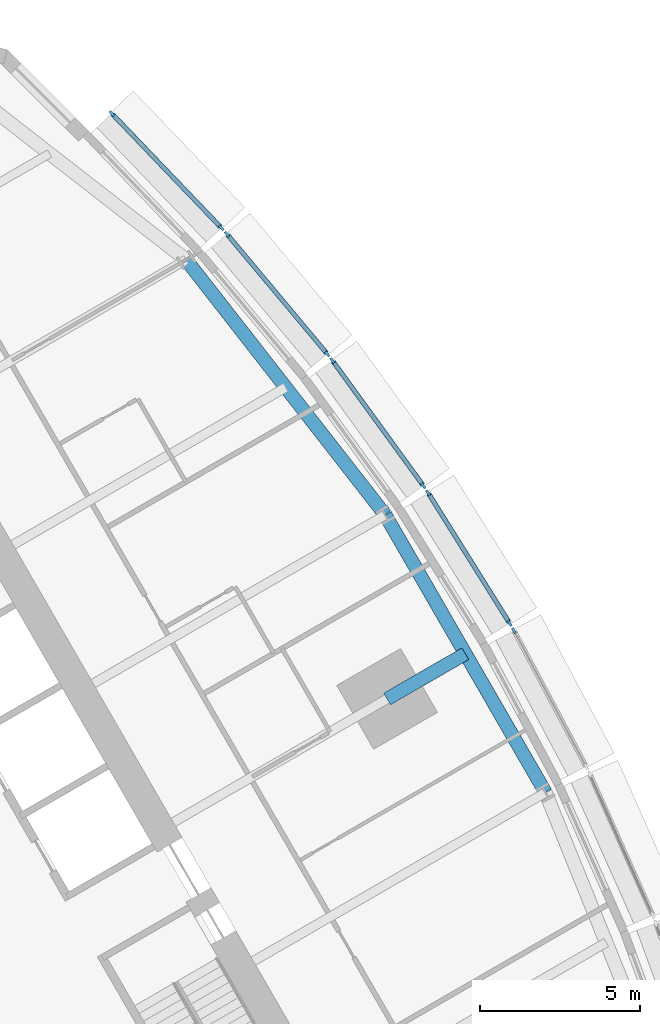
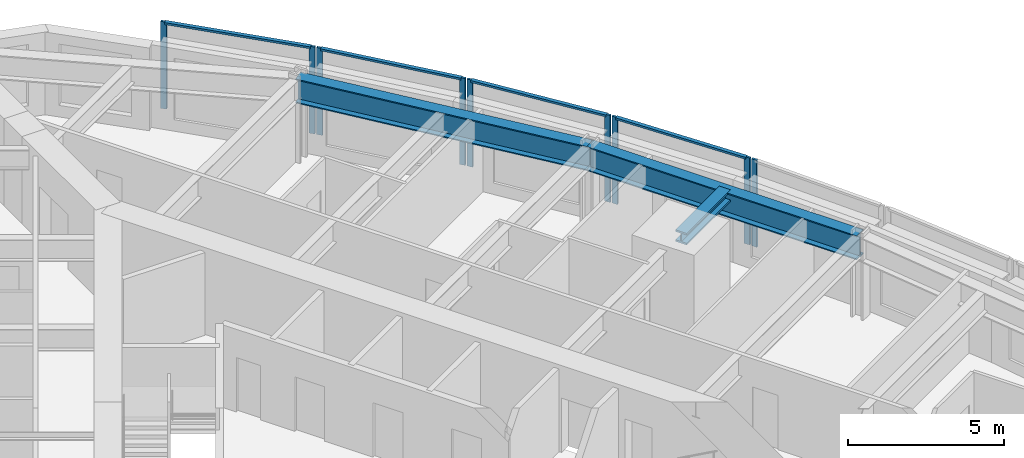
# One storey, part 5 of 14: 13 members, 3 beams, 5 elements without a shape of their own.
"""IFC4 building model written with IfcOpenShell, lengths in metres."""

from ifc_helpers import new_model, si_unit, direction, frame, origin, origin_2d, place, context, subcontext, project, spatial, rectangle, i_section, extrude, material, material_profile, profile_set, type_object, element, aggregate, save


model = new_model("IFC4")

# Units and contexts
model_context = context("Model", 3, precision=1e-05, world=origin(), true_north=direction((0.0, 1.0)))
body_context = subcontext(model_context, "Body", "Model", "MODEL_VIEW")
ifc_project = project(units=[si_unit("LENGTHUNIT", "METRE"), si_unit("AREAUNIT", "SQUARE_METRE"), si_unit("VOLUMEUNIT", "CUBIC_METRE"), si_unit("PLANEANGLEUNIT", "RADIAN"), si_unit("MASSUNIT", "GRAM", prefix="KILO")], contexts=[model_context])

# Site, building, storey
site_placement = place(None, origin())
site = spatial("IfcSite", under=ifc_project, at=site_placement, CompositionType="ELEMENT")
building_placement = place(site_placement, origin())
building = spatial("IfcBuilding", under=site, at=building_placement, Name="Trikona Tower", CompositionType="ELEMENT")
storey_placement = place(building_placement, frame((0.0, 0.0, 172.5)))
storey = spatial("IfcBuildingStorey", under=building, at=storey_placement, Name="L46", CompositionType="ELEMENT", Elevation=172.5)

# Curtain wall, member
ifc_material_1 = material(Name="Aluminium curtain wall system", Category="aluminium")
curtain_wall_type = type_object("IfcCurtainWallType", Name="Curtain wall DS2", PredefinedType="NOTDEFINED", material=ifc_material_1)
curtain_wall_1_placement = place(storey_placement, origin())
curtain_wall_1 = element("IfcCurtainWall", 1, at=curtain_wall_1_placement, inside=storey, type_object=curtain_wall_type, Name="Curtain wall DS2 L46", PredefinedType="NOTDEFINED")
ifc_material_2 = material(Name="Aluminium mullion, pale anodised", Category="aluminium")
ifc_material_profile_1 = material_profile(ifc_material_2, rectangle(XDim=0.080078125, YDim=0.199951171875, at=origin_2d()), Name="MUL-DS2")
ifc_profile_set_1 = profile_set([ifc_material_profile_1], Name="Aluminium mullion, pale anodised")
member_type_1 = type_object("IfcMemberType", Name="Mullion DS2 80x200", PredefinedType="MULLION", material=ifc_profile_set_1)
member_1_placement = place(storey_placement, frame((19.2666015625, 10.9716796875, 0.0), z_axis=(0.0, 0.0, 1.0), x_axis=(-0.882996107343, -0.469380308937, 0.0)))
member_1 = element("IfcMember", 2, at=member_1_placement, type_object=member_type_1, Name="CW-DS2 mullion 2", PredefinedType="MULLION", context=body_context, shape_type="SweptSolid", body=[
    extrude(rectangle(XDim=0.080078125, YDim=0.199951171875, at=origin_2d()), origin(), (0.0, 0.0, 1.0), 3.39990234375),
])
aggregate(curtain_wall_1, [member_1])

# Curtain wall, members
curtain_wall_2_placement = place(storey_placement, origin())
curtain_wall_2 = element("IfcCurtainWall", 3, at=curtain_wall_2_placement, inside=storey, type_object=curtain_wall_type, Name="Curtain wall DS2 L46", PredefinedType="NOTDEFINED")
member_2_placement = place(storey_placement, frame((19.135009765625, 11.199462890625, 0.0), z_axis=(0.0, 0.0, 1.0), x_axis=(-0.847998304006, -0.529998940002, 0.0)))
member_2 = element("IfcMember", 4, at=member_2_placement, type_object=member_type_1, Name="CW-DS2 mullion 1", PredefinedType="MULLION", context=body_context, shape_type="SweptSolid", body=[
    extrude(rectangle(XDim=0.080078125, YDim=0.199951171875, at=origin_2d()), origin(), (0.0, 0.0, 1.0), 3.39990234375),
])
member_3_placement = place(storey_placement, frame((16.589599609375, 15.2724609375, 0.0), z_axis=(0.0, 0.0, 1.0), x_axis=(-0.847998304006, -0.529998940002, 0.0)))
member_3 = element("IfcMember", 5, at=member_3_placement, type_object=member_type_1, Name="CW-DS2 mullion 2", PredefinedType="MULLION", context=body_context, shape_type="SweptSolid", body=[
    extrude(rectangle(XDim=0.080078125, YDim=0.199951171875, at=origin_2d()), origin(), (0.0, 0.0, 1.0), 3.39990234375),
])

curtain_wall_3_placement = place(storey_placement, origin())
curtain_wall_3 = element("IfcCurtainWall", 6, at=curtain_wall_3_placement, inside=storey, type_object=curtain_wall_type, Name="Curtain wall DS2 L46", PredefinedType="NOTDEFINED")
member_4_placement = place(storey_placement, frame((16.442626953125, 15.489990234375, 0.0), z_axis=(0.0, 0.0, 1.0), x_axis=(-0.80908576332, -0.587690588313, 0.0)))
member_4 = element("IfcMember", 7, at=member_4_placement, type_object=member_type_1, Name="CW-DS2 mullion 1", PredefinedType="MULLION", context=body_context, shape_type="SweptSolid", body=[
    extrude(rectangle(XDim=0.080078125, YDim=0.199951171875, at=origin_2d()), origin(), (0.0, 0.0, 1.0), 3.39990234375),
])
member_5_placement = place(storey_placement, frame((13.605712890625, 19.39599609375, 0.0), z_axis=(0.0, 0.0, 1.0), x_axis=(-0.80908576332, -0.587690588313, 0.0)))
member_5 = element("IfcMember", 8, at=member_5_placement, type_object=member_type_1, Name="CW-DS2 mullion 2", PredefinedType="MULLION", context=body_context, shape_type="SweptSolid", body=[
    extrude(rectangle(XDim=0.080078125, YDim=0.199951171875, at=origin_2d()), origin(), (0.0, 0.0, 1.0), 3.39990234375),
])

curtain_wall_4_placement = place(storey_placement, origin())
curtain_wall_4 = element("IfcCurtainWall", 9, at=curtain_wall_4_placement, inside=storey, type_object=curtain_wall_type, Name="Curtain wall DS2 L46", PredefinedType="NOTDEFINED")
member_6_placement = place(storey_placement, frame((13.44482421875, 19.602294921875, 0.0), z_axis=(0.0, 0.0, 1.0), x_axis=(-0.766866678271, -0.641806433248, 0.0)))
member_6 = element("IfcMember", 10, at=member_6_placement, type_object=member_type_1, Name="CW-DS2 mullion 1", PredefinedType="MULLION", context=body_context, shape_type="SweptSolid", body=[
    extrude(rectangle(XDim=0.080078125, YDim=0.199951171875, at=origin_2d()), origin(), (0.0, 0.0, 1.0), 3.39990234375),
])
member_7_placement = place(storey_placement, frame((10.315185546875, 23.34130859375, 0.0), z_axis=(0.0, 0.0, 1.0), x_axis=(-0.766866678271, -0.641806433248, 0.0)))
member_7 = element("IfcMember", 11, at=member_7_placement, type_object=member_type_1, Name="CW-DS2 mullion 2", PredefinedType="MULLION", context=body_context, shape_type="SweptSolid", body=[
    extrude(rectangle(XDim=0.080078125, YDim=0.199951171875, at=origin_2d()), origin(), (0.0, 0.0, 1.0), 3.39990234375),
])

curtain_wall_5_placement = place(storey_placement, origin())
curtain_wall_5 = element("IfcCurtainWall", 12, at=curtain_wall_5_placement, inside=storey, type_object=curtain_wall_type, Name="Curtain wall DS2 L46", PredefinedType="NOTDEFINED")
member_8_placement = place(storey_placement, frame((10.1416015625, 23.535400390625, 0.0), z_axis=(0.0, 0.0, 1.0), x_axis=(-0.722158330767, -0.691727797117, 0.0)))
member_8 = element("IfcMember", 13, at=member_8_placement, type_object=member_type_1, Name="CW-DS2 mullion 1", PredefinedType="MULLION", context=body_context, shape_type="SweptSolid", body=[
    extrude(rectangle(XDim=0.080078125, YDim=0.199951171875, at=origin_2d()), origin(), (0.0, 0.0, 1.0), 3.39990234375),
])
member_9_placement = place(storey_placement, frame((6.718994140625, 27.1083984375, 0.0), z_axis=(0.0, 0.0, 1.0), x_axis=(-0.722158330767, -0.691727797117, 0.0)))
member_9 = element("IfcMember", 14, at=member_9_placement, type_object=member_type_1, Name="CW-DS2 mullion 2", PredefinedType="MULLION", context=body_context, shape_type="SweptSolid", body=[
    extrude(rectangle(XDim=0.080078125, YDim=0.199951171875, at=origin_2d()), origin(), (0.0, 0.0, 1.0), 3.39990234375),
])

# Beams
ifc_material_3 = material(Name="Steel ASTM A992 Grade 50", Category="steel")
ifc_material_profile_2 = material_profile(ifc_material_3, i_section(OverallWidth=0.419189453125, OverallDepth=0.45458984375, WebThickness=0.042236328125, FlangeThickness=0.067626953125, at=origin_2d()), Name="W14X370")
ifc_profile_set_2 = profile_set([ifc_material_profile_2], Name="Steel ASTM A992 Grade 50")
beam_type_1 = type_object("IfcBeamType", Name="Steel beam W14x370 (apex bracket)", PredefinedType="BEAM", material=ifc_profile_set_2)
beam_1_placement = place(storey_placement, frame((15.311767578125, 8.84033203125, 3.0078125), z_axis=(0.86605005072, 0.499957307824, 0.0), x_axis=(-0.499957307824, 0.86605005072, 0.0)))
element("IfcBeam", 15, at=beam_1_placement, inside=storey, type_object=beam_type_1, Name="Cantilever bracket L47 F2", PredefinedType="BEAM", context=body_context, shape_type="SweptSolid", body=[
    extrude(i_section(OverallWidth=0.419189453125, OverallDepth=0.45458984375, WebThickness=0.042236328125, FlangeThickness=0.067626953125, at=origin_2d()), origin(), (0.0, 0.0, 1.0), 2.819580078125),
])
ifc_material_4 = material(Name="Steel ASTM A992 Grade 50", Category="steel")
ifc_material_profile_3 = material_profile(ifc_material_4, i_section(OverallWidth=0.424072265625, OverallDepth=0.947509765625, WebThickness=0.02392578125, FlangeThickness=0.042724609375, at=origin_2d()), Name="W36X302")
ifc_profile_set_3 = profile_set([ifc_material_profile_3], Name="Steel ASTM A992 Grade 50")
beam_type_2 = type_object("IfcBeamType", Name="Steel beam W36x302 (spandrel)", PredefinedType="SPANDREL", material=ifc_profile_set_3)
beam_2_placement = place(storey_placement, frame((20.253662109375, 5.919921875, 2.76123046875), z_axis=(-0.500004234368, 0.866022959057, 0.0), x_axis=(-0.866022959057, -0.500004234368, 0.0)))
element("IfcBeam", 16, at=beam_2_placement, inside=storey, type_object=beam_type_2, Name="Spandrel beam L47 F2-3", PredefinedType="SPANDREL", context=body_context, shape_type="SweptSolid", body=[
    extrude(i_section(OverallWidth=0.424072265625, OverallDepth=0.947509765625, WebThickness=0.02392578125, FlangeThickness=0.042724609375, at=origin_2d()), origin(), (0.0, 0.0, 1.0), 10.0),
])
beam_3_placement = place(storey_placement, frame((15.253662109375, 14.580078125, 2.76123046875), z_axis=(-0.615232009054, 0.788346101046, 0.0), x_axis=(-0.788346101046, -0.615232009054, 0.0)))
element("IfcBeam", 17, at=beam_3_placement, inside=storey, type_object=beam_type_2, Name="Spandrel beam L47 F2-4", PredefinedType="SPANDREL", context=body_context, shape_type="SweptSolid", body=[
    extrude(i_section(OverallWidth=0.424072265625, OverallDepth=0.947509765625, WebThickness=0.02392578125, FlangeThickness=0.042724609375, at=origin_2d()), origin(), (0.0, 0.0, 1.0), 10.09765625),
])

# Member
ifc_material_5 = material(Name="Aluminium transom, pale anodised", Category="aluminium")
ifc_material_profile_4 = material_profile(ifc_material_5, rectangle(XDim=0.139892578125, YDim=0.080078125, at=origin_2d()), Name="TRN-DS2")
ifc_profile_set_4 = profile_set([ifc_material_profile_4], Name="Aluminium transom, pale anodised")
member_type_2 = type_object("IfcMemberType", Name="Transom DS2 80x140", PredefinedType="USERDEFINED", material=ifc_profile_set_4)
member_10_placement = place(storey_placement, frame((19.114013671875, 11.2333984375, 3.360107421875), z_axis=(-0.530031463794, 0.847977975769, 0.0), x_axis=(-0.847977975769, -0.530031463794, 0.0)))
member_10 = element("IfcMember", 18, at=member_10_placement, type_object=member_type_2, Name="CW-DS2 transom 1.1", ObjectType="TRANSOM", PredefinedType="USERDEFINED", context=body_context, shape_type="SweptSolid", body=[
    extrude(rectangle(XDim=0.139892578125, YDim=0.080078125, at=origin_2d()), origin(), (0.0, 0.0, 1.0), 4.72314453125),
])

aggregate(curtain_wall_2, [member_2, member_3, member_10])

member_11_placement = place(storey_placement, frame((16.419189453125, 15.5224609375, 3.360107421875), z_axis=(-0.587694585883, 0.809082859616, 0.0), x_axis=(-0.809082859616, -0.587694585883, 0.0)))
member_11 = element("IfcMember", 19, at=member_11_placement, type_object=member_type_2, Name="CW-DS2 transom 1.1", ObjectType="TRANSOM", PredefinedType="USERDEFINED", context=body_context, shape_type="SweptSolid", body=[
    extrude(rectangle(XDim=0.139892578125, YDim=0.080078125, at=origin_2d()), origin(), (0.0, 0.0, 1.0), 4.747314453125),
])

aggregate(curtain_wall_3, [member_4, member_5, member_11])

member_12_placement = place(storey_placement, frame((13.4189453125, 19.6328125, 3.360107421875), z_axis=(-0.641770294892, 0.766896921753, 0.0), x_axis=(-0.766896921753, -0.641770294892, 0.0)))
member_12 = element("IfcMember", 20, at=member_12_placement, type_object=member_type_2, Name="CW-DS2 transom 1.1", ObjectType="TRANSOM", PredefinedType="USERDEFINED", context=body_context, shape_type="SweptSolid", body=[
    extrude(rectangle(XDim=0.139892578125, YDim=0.080078125, at=origin_2d()), origin(), (0.0, 0.0, 1.0), 4.7958984375),
])

aggregate(curtain_wall_4, [member_6, member_7, member_12])

member_13_placement = place(storey_placement, frame((10.114013671875, 23.564208984375, 3.360107421875), z_axis=(-0.691721246785, 0.722164605022, 0.0), x_axis=(-0.722164605022, -0.691721246785, 0.0)))
member_13 = element("IfcMember", 21, at=member_13_placement, type_object=member_type_2, Name="CW-DS2 transom 1.1", ObjectType="TRANSOM", PredefinedType="USERDEFINED", context=body_context, shape_type="SweptSolid", body=[
    extrude(rectangle(XDim=0.139892578125, YDim=0.080078125, at=origin_2d()), origin(), (0.0, 0.0, 1.0), 4.867919921875),
])

aggregate(curtain_wall_5, [member_8, member_9, member_13])

save(model, "model.ifc")
